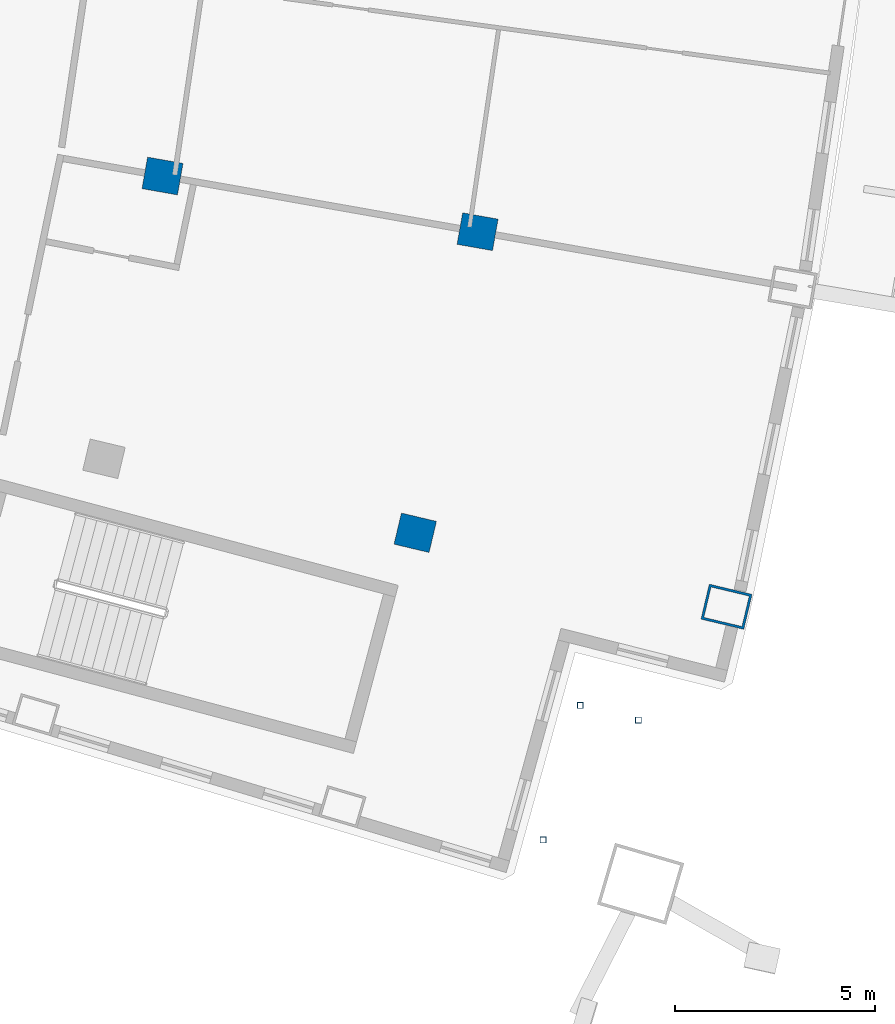
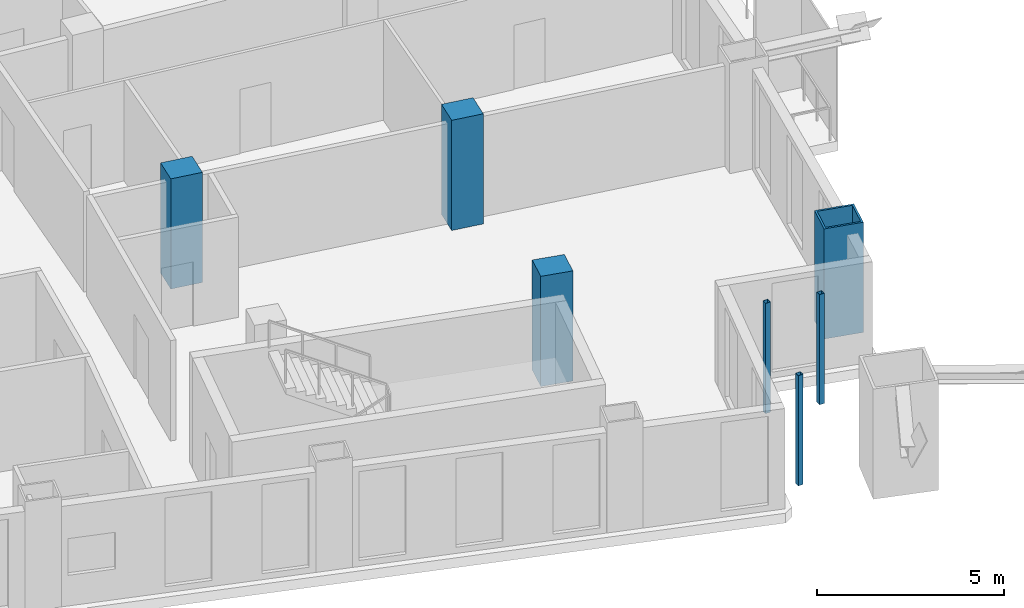
# One storey, part 5 of 22: 7 columns.
"""IFC4 building model written with IfcOpenShell, lengths in metres."""

from ifc_helpers import new_model, si_unit, direction, frame, origin, origin_2d, place, context, subcontext, project, spatial, rectangle, hollow_rectangle, extrude, material, material_profile, profile_set, type_object, element, save


model = new_model("IFC4")

# Units and contexts
model_context = context("Model", 3, precision=1e-05, world=origin(), true_north=direction((0.0, 1.0)))
body_context = subcontext(model_context, "Body", "Model", "MODEL_VIEW")
ifc_project = project(units=[si_unit("LENGTHUNIT", "METRE"), si_unit("AREAUNIT", "SQUARE_METRE"), si_unit("VOLUMEUNIT", "CUBIC_METRE"), si_unit("PLANEANGLEUNIT", "RADIAN"), si_unit("MASSUNIT", "GRAM", prefix="KILO")], contexts=[model_context])

# Site, building, storey
site_placement = place(None, origin())
site = spatial("IfcSite", under=ifc_project, at=site_placement, CompositionType="ELEMENT")
building_placement = place(site_placement, origin())
building = spatial("IfcBuilding", under=site, at=building_placement, Name="Alderwake Tower", CompositionType="ELEMENT")
storey_placement = place(building_placement, frame((0.0, 0.0, 156.800048828125)))
storey = spatial("IfcBuildingStorey", under=building, at=storey_placement, Name="L38", CompositionType="ELEMENT", Elevation=156.800048828125)

# Columns
ifc_material_1 = material(Name="Concrete C70/85", Category="concrete")
ifc_material_profile_1 = material_profile(ifc_material_1, rectangle(XDim=0.800048828125, YDim=0.89990234375, at=origin_2d()), Name="RC 900X800")
ifc_profile_set_1 = profile_set([ifc_material_profile_1], Name="Concrete C70/85")
column_type_1 = type_object("IfcColumnType", Name="Interior column Z3", PredefinedType="COLUMN", material=ifc_profile_set_1)
for number, where, z_axis, x_axis, name in (
    (1, (48.228515625, 30.52490234375, 0.0), (0.0, 0.0, 1.0), (0.231221547198, 0.972901123502, 0.0), "Column R03-C4"),
    (2, (41.9091796875, 39.4453125, 0.0), (0.0, 0.0, 1.0), (0.174108800747, 0.984726421654, 0.0), "Column R04-C3"),
    (3, (49.787109375, 38.052490234375, 0.0), (0.0, 0.0, 1.0), (0.174108800747, 0.984726421654, 0.0), "Column R04-C4"),
):
    element("IfcColumn", number, at=place(storey_placement, frame(where, z_axis=z_axis, x_axis=x_axis)), inside=storey, type_object=column_type_1, Name=name, PredefinedType="COLUMN", context=body_context, shape_type="SweptSolid", body=[
        extrude(rectangle(XDim=0.800048828125, YDim=0.89990234375, at=origin_2d()), origin(), (0.0, 0.0, 1.0), 3.599853515625),
    ])
ifc_material_2 = material(Name="Steel ASTM A500 Grade C", Category="steel")
ifc_material_profile_2 = material_profile(ifc_material_2, hollow_rectangle(XDim=0.15234375, YDim=0.15234375, WallThickness=0.0087890625, at=origin_2d()), Name="HSS6X6X3/8")
ifc_profile_set_2 = profile_set([ifc_material_profile_2], Name="Steel ASTM A500 Grade C")
column_type_2 = type_object("IfcColumnType", Name="Light post HSS6X6X3/8", PredefinedType="COLUMN", material=ifc_profile_set_2)
for number, where, z_axis, x_axis, name in (
    (4, (53.807861328125, 25.840576171875, 0.0), (0.0, 0.0, 1.0), (1.0, 0.0, 0.0), "Terrace post FS1"),
    (5, (51.42431640625, 22.847900390625, 0.0), (0.0, 0.0, 1.0), (1.0, 0.0, 0.0), "Terrace post FS2"),
    (6, (52.353759765625, 26.208740234375, 0.0), (0.0, 0.0, 1.0), (1.0, 0.0, 0.0), "Terrace post FS3"),
):
    element("IfcColumn", number, at=place(storey_placement, frame(where, z_axis=z_axis, x_axis=x_axis)), inside=storey, type_object=column_type_2, Name=name, PredefinedType="COLUMN", context=body_context, shape_type="SweptSolid", body=[
        extrude(hollow_rectangle(XDim=0.15234375, YDim=0.15234375, WallThickness=0.0087890625, at=origin_2d()), origin(), (0.0, 0.0, 1.0), 3.599853515625),
    ])
ifc_material_3 = material(Name="Steel ASTM A572 Grade 50 concrete filled C70/85", Category="concrete")
ifc_material_profile_3 = material_profile(ifc_material_3, hollow_rectangle(XDim=0.89990234375, YDim=1.10009765625, WallThickness=0.06005859375, at=origin_2d()), Name="BOX 1100X900X60")
ifc_profile_set_3 = profile_set([ifc_material_profile_3], Name="Steel ASTM A572 Grade 50 concrete filled C70/85")
column_type_3 = type_object("IfcColumnType", Name="Perimeter column Z3", PredefinedType="COLUMN", material=ifc_profile_set_3)
column_placement = place(storey_placement, frame((56.01171875, 28.67529296875, 0.0), z_axis=(0.0, 0.0, 1.0), x_axis=(0.231221547198, 0.972901123502, 0.0)))
element("IfcColumn", 7, at=column_placement, inside=storey, type_object=column_type_3, Name="Column R03-C5", PredefinedType="COLUMN", context=body_context, shape_type="SweptSolid", body=[
    extrude(hollow_rectangle(XDim=0.89990234375, YDim=1.10009765625, WallThickness=0.06005859375, at=origin_2d()), origin(), (0.0, 0.0, 1.0), 3.599853515625),
])

save(model, "model.ifc")
